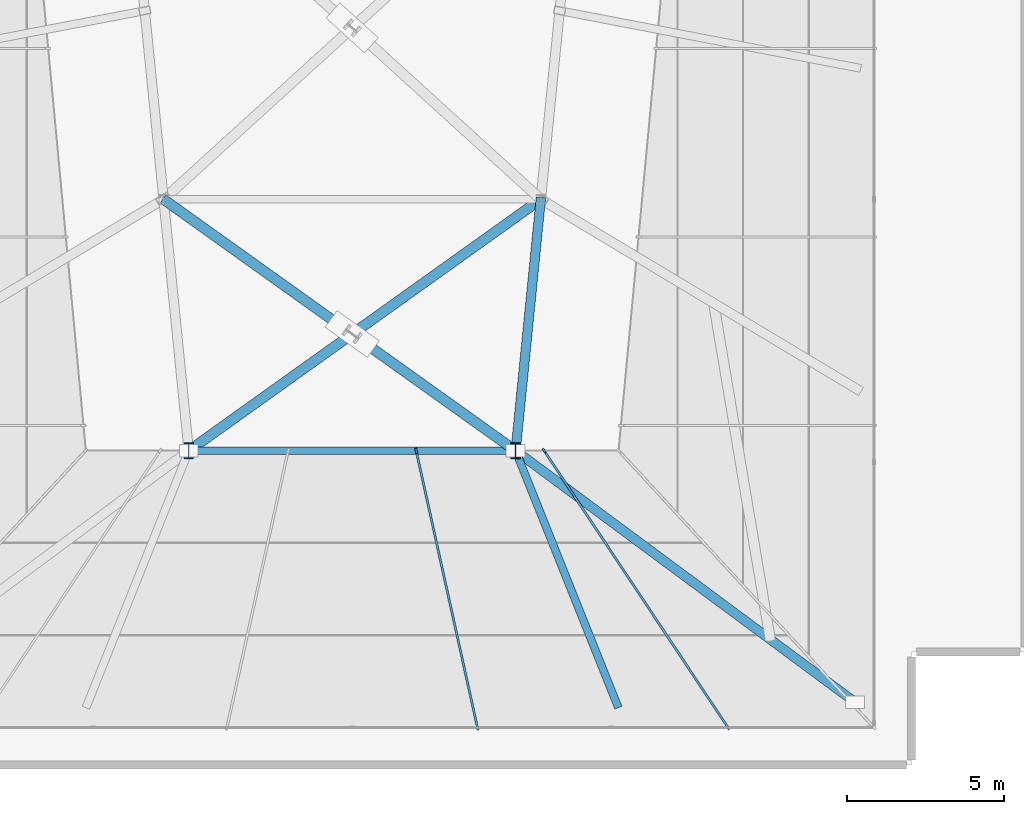
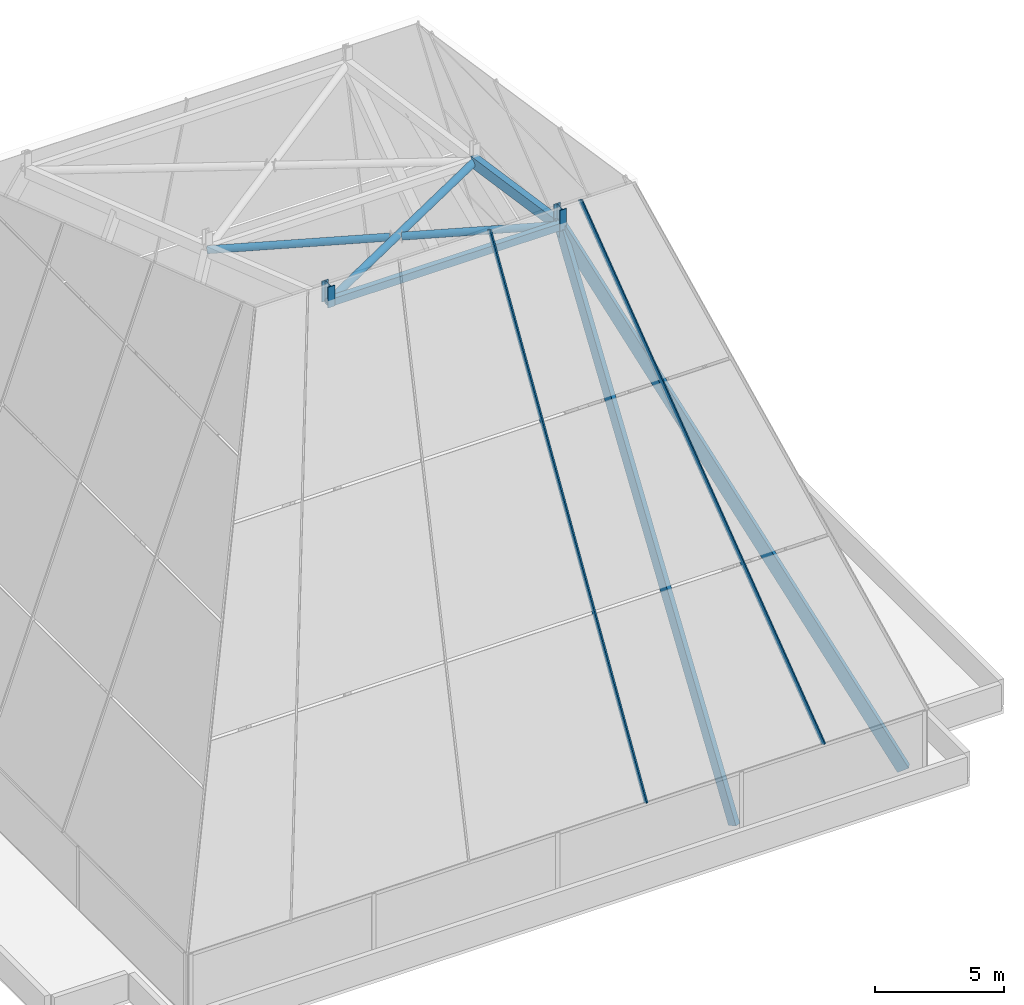
# One storey, part 8 of 32: 11 members, 1 element without a shape of its own.
"""IFC4 building model written with IfcOpenShell, lengths in metres."""

from ifc_helpers import new_model, si_unit, direction, frame, origin, origin_2d, place, context, subcontext, project, spatial, hollow_rectangle, hollow_circle, i_section, extrude, source, transform, mapped, material, layer, layer_set, material_profile, profile_set, type_object, element, aggregate, save


model = new_model("IFC4")

# Units and contexts
model_context = context("Model", 3, precision=1e-05, world=origin(), true_north=direction((0.0, 1.0)))
body_context = subcontext(model_context, "Body", "Model", "MODEL_VIEW")
ifc_project = project(units=[si_unit("LENGTHUNIT", "METRE"), si_unit("AREAUNIT", "SQUARE_METRE"), si_unit("VOLUMEUNIT", "CUBIC_METRE"), si_unit("PLANEANGLEUNIT", "RADIAN"), si_unit("MASSUNIT", "GRAM", prefix="KILO")], contexts=[model_context])

# Site, building, storey
site_placement = place(None, origin())
site = spatial("IfcSite", under=ifc_project, at=site_placement, CompositionType="ELEMENT")
building_placement = place(site_placement, origin())
building = spatial("IfcBuilding", under=site, at=building_placement, Name="Sumidabori Civic Tower", CompositionType="ELEMENT")
storey_placement = place(building_placement, frame((0.0, 0.0, 298.199951171875)))
storey = spatial("IfcBuildingStorey", under=building, at=storey_placement, Name="RF Roof Crown", CompositionType="ELEMENT", Elevation=298.199951171875)

# Members
ifc_material_1 = material(Name="Steel SN490", Category="steel")
ifc_material_profile_1 = material_profile(ifc_material_1, hollow_rectangle(XDim=0.300048828125, YDim=0.5, WallThickness=0.02001953125, at=origin_2d()), Name="RHS 500x300x20")
ifc_profile_set_1 = profile_set([ifc_material_profile_1], Name="Steel SN490")
member_type_1 = type_object("IfcMemberType", Name="MB-CRN-RAFTER", PredefinedType="RAFTER", material=ifc_profile_set_1)
shared_shape_1 = source(origin(), body_context, "Body", "SweptSolid", [
    extrude(hollow_rectangle(XDim=0.300048828125, YDim=0.5, WallThickness=0.02001953125, at=origin_2d()), origin(), (0.0, 0.0, 1.0), 28.119873046875),
])
member_1_placement = place(storey_placement, frame((16.0, -10.0, 0.0), z_axis=(-0.384071413459, 0.284496057061, 0.878379839751), x_axis=(-0.595225812977, -0.803558480489, 0.0)))
element("IfcMember", 1, at=member_1_placement, inside=storey, type_object=member_type_1, Name="Crown Structural Rafter RF-SE", PredefinedType="RAFTER", context=body_context, shape_type="MappedRepresentation", body=[
    mapped(shared_shape_1, transform((0.0, 0.0, 0.0), x_axis=(1.0, 0.0, 0.0), y_axis=(0.0, 1.0, 0.0), z_axis=(0.0, 0.0, 1.0), scale=1.0)),
])
ifc_material_profile_2 = material_profile(ifc_material_1, hollow_rectangle(XDim=0.25, YDim=0.39990234375, WallThickness=0.01611328125, at=origin_2d()), Name="RHS 400x250x16")
ifc_profile_set_2 = profile_set([ifc_material_profile_2], Name="Steel SN490")
member_type_2 = type_object("IfcMemberType", Name="MB-CRN-HIP", PredefinedType="RAFTER", material=ifc_profile_set_2)
shared_shape_2 = source(origin(), body_context, "Body", "SweptSolid", [
    extrude(hollow_rectangle(XDim=0.25, YDim=0.39990234375, WallThickness=0.01611328125, at=origin_2d()), origin(), (0.0, 0.0, 1.0), 26.15966796875),
])
member_2_placement = place(storey_placement, frame((8.39990234375, -10.0, 0.0), z_axis=(-0.122323930237, 0.305814491952, 0.944200377358), x_axis=(-0.928478645005, -0.371385791018, 0.0)))
element("IfcMember", 2, at=member_2_placement, inside=storey, type_object=member_type_2, Name="Crown Structural Rafter RF-SCE", PredefinedType="RAFTER", context=body_context, shape_type="MappedRepresentation", body=[
    mapped(shared_shape_2, transform((0.0, 0.0, 0.0), x_axis=(1.0, 0.0, 0.0), y_axis=(0.0, 1.0, 0.0), z_axis=(0.0, 0.0, 1.0), scale=1.0)),
])
shared_shape_3 = source(origin(), body_context, "Body", "SweptSolid", [
    extrude(hollow_rectangle(XDim=0.300048828125, YDim=0.5, WallThickness=0.02001953125, at=origin_2d()), origin(), (0.0, 0.0, 1.0), 8.3095703125),
])
member_3_placement = place(storey_placement, frame((5.199951171875, -2.0, 24.699951171875), z_axis=(0.096280057502, 0.962741813926, -0.252702097826), x_axis=(-0.995036588883, 0.09950973211, 0.0)))
element("IfcMember", 3, at=member_3_placement, inside=storey, type_object=member_type_1, Name="Crown Structural Rafter RF-RIDGE-E1", PredefinedType="RAFTER", context=body_context, shape_type="MappedRepresentation", body=[
    mapped(shared_shape_3, transform((0.0, 0.0, 0.0), x_axis=(1.0, 0.0, 0.0), y_axis=(0.0, 1.0, 0.0), z_axis=(0.0, 0.0, 1.0), scale=1.0)),
])
ifc_material_profile_3 = material_profile(ifc_material_1, hollow_rectangle(XDim=0.25, YDim=0.35009765625, WallThickness=0.01611328125, at=origin_2d()), Name="RHS 350x250x16")
ifc_profile_set_3 = profile_set([ifc_material_profile_3], Name="Steel SN490")
member_type_3 = type_object("IfcMemberType", Name="MB-CRN-PURLIN", PredefinedType="PURLIN", material=ifc_profile_set_3)
shared_shape_4 = source(origin(), body_context, "Body", "SweptSolid", [
    extrude(hollow_rectangle(XDim=0.25, YDim=0.35009765625, WallThickness=0.01611328125, at=origin_2d()), origin(), (0.0, 0.0, 1.0), 10.39990234375),
])
member_4_placement = place(storey_placement, frame((-5.199951171875, -2.0, 24.699951171875), z_axis=(1.0, 0.0, 0.0), x_axis=(0.0, 1.0, 0.0)))
element("IfcMember", 4, at=member_4_placement, inside=storey, type_object=member_type_3, Name="Crown Structural Rafter RF-TIE-S", PredefinedType="PURLIN", context=body_context, shape_type="MappedRepresentation", body=[
    mapped(shared_shape_4, transform((0.0, 0.0, 0.0), x_axis=(1.0, 0.0, 0.0), y_axis=(0.0, 1.0, 0.0), z_axis=(0.0, 0.0, 1.0), scale=1.0)),
])
ifc_material_profile_4 = material_profile(ifc_material_1, hollow_circle(Radius=0.161865234375, WallThickness=0.01611328125, at=origin_2d()), Name="CHS 323.9x16")
ifc_profile_set_4 = profile_set([ifc_material_profile_4], Name="Steel SN490")
member_type_4 = type_object("IfcMemberType", Name="MB-CRN-BRACE", PredefinedType="BRACE", material=ifc_profile_set_4)
shared_shape_5 = source(origin(), body_context, "Body", "SweptSolid", [
    extrude(hollow_circle(Radius=0.161865234375, WallThickness=0.01611328125, at=origin_2d()), origin(), (0.0, 0.0, 1.0), 13.9228515625),
])
member_5_placement = place(storey_placement, frame((-5.199951171875, -2.0, 24.699951171875), z_axis=(0.804424225376, 0.57459123743, -0.150819678746), x_axis=(-0.58123987164, 0.813732272689, 0.0)))
element("IfcMember", 5, at=member_5_placement, inside=storey, type_object=member_type_4, Name="Crown Structural Rafter RF-BRC-1", PredefinedType="BRACE", context=body_context, shape_type="MappedRepresentation", body=[
    mapped(shared_shape_5, transform((0.0, 0.0, 0.0), x_axis=(1.0, 0.0, 0.0), y_axis=(0.0, 1.0, 0.0), z_axis=(0.0, 0.0, 1.0), scale=1.0)),
])
shared_shape_6 = source(origin(), body_context, "Body", "SweptSolid", [
    extrude(hollow_circle(Radius=0.161865234375, WallThickness=0.01611328125, at=origin_2d()), origin(), (0.0, 0.0, 1.0), 6.232421875),
])
member_6_placement = place(storey_placement, frame((5.199951171875, -2.0, 24.699951171875), z_axis=(-0.804423085111, 0.574593514118, -0.150817086812), x_axis=(-0.581241942168, -0.81373079373, 0.0)))
element("IfcMember", 6, at=member_6_placement, inside=storey, type_object=member_type_4, Name="Crown Structural Rafter RF-BRC-2 Lower Segment", PredefinedType="BRACE", context=body_context, shape_type="MappedRepresentation", body=[
    mapped(shared_shape_6, transform((0.0, 0.0, 0.0), x_axis=(1.0, 0.0, 0.0), y_axis=(0.0, 1.0, 0.0), z_axis=(0.0, 0.0, 1.0), scale=1.0)),
])
shared_shape_7 = source(origin(), body_context, "Body", "SweptSolid", [
    extrude(hollow_circle(Radius=0.161865234375, WallThickness=0.01611328125, at=origin_2d()), origin(), (0.0, 0.0, 1.0), 7.226806640625),
])
member_7_placement = place(storey_placement, frame((-0.1865234375, 1.847412109375, 23.68994140625), z_axis=(-0.804420568351, 0.574600598315, -0.150803519953), x_axis=(-0.58124789141, -0.813726544197, 0.0)))
element("IfcMember", 7, at=member_7_placement, inside=storey, type_object=member_type_4, Name="Crown Structural Rafter RF-BRC-2 Upper Segment", PredefinedType="BRACE", context=body_context, shape_type="MappedRepresentation", body=[
    mapped(shared_shape_7, transform((0.0, 0.0, 0.0), x_axis=(1.0, 0.0, 0.0), y_axis=(0.0, 1.0, 0.0), z_axis=(0.0, 0.0, 1.0), scale=1.0)),
])
ifc_material_profile_5 = material_profile(ifc_material_1, i_section(OverallWidth=0.300048828125, OverallDepth=0.5, WebThickness=0.014404296875, FlangeThickness=0.028076171875, at=origin_2d()), Name="HE 500 B")
ifc_profile_set_5 = profile_set([ifc_material_profile_5], Name="Steel SN490")
member_type_5 = type_object("IfcMemberType", Name="MB-CRN-POST1", PredefinedType="POST", material=ifc_profile_set_5)
shared_shape_8 = source(origin(), body_context, "Body", "SweptSolid", [
    extrude(i_section(OverallWidth=0.300048828125, OverallDepth=0.5, WebThickness=0.014404296875, FlangeThickness=0.028076171875, at=origin_2d()), origin(), (0.0, 0.0, 1.0), 0.989990234375),
])
for number, where, z_axis, x_axis, name in (
    (8, (-5.199951171875, -2.0, 24.60009765625), (0.0, 0.0, 1.0), (1.0, 0.0, 0.0), "Crown Ridge Cap King-Post CP-SW"),
    (9, (5.199951171875, -2.0, 24.60009765625), (0.0, 0.0, 1.0), (1.0, 0.0, 0.0), "Crown Ridge Cap King-Post CP-SE"),
):
    element("IfcMember", number, at=place(storey_placement, frame(where, z_axis=z_axis, x_axis=x_axis)), inside=storey, type_object=member_type_5, Name=name, PredefinedType="POST", context=body_context, shape_type="MappedRepresentation", body=[
        mapped(shared_shape_8, transform((0.0, 0.0, 0.0), x_axis=(1.0, 0.0, 0.0), y_axis=(0.0, 1.0, 0.0), z_axis=(0.0, 0.0, 1.0), scale=1.0)),
    ])

# Curtain wall, members
ifc_material_2 = material(Name="Anodised Bronze Aluminium AW-6063-T6", Category="aluminium")
ifc_layer = layer(ifc_material_2, 0.179931640625, Name="Anodised Bronze Aluminium AW-6063-T6")
ifc_layer_set = layer_set([ifc_layer], Name="Anodised Bronze Aluminium AW-6063-T6")
curtain_wall_type = type_object("IfcCurtainWallType", Name="CW-SYS-6", PredefinedType="NOTDEFINED", material=ifc_layer_set)
curtain_wall_placement = place(storey_placement, origin())
curtain_wall = element("IfcCurtainWall", 10, at=curtain_wall_placement, inside=storey, type_object=curtain_wall_type, Name="Glass-Point Crown South Prow Curtain Wall", PredefinedType="NOTDEFINED")
ifc_material_profile_6 = material_profile(ifc_material_2, hollow_rectangle(XDim=0.070068359375, YDim=0.179931640625, WallThickness=0.006103515625, at=origin_2d()), Name="ALU MULLION 180x70")
ifc_profile_set_6 = profile_set([ifc_material_profile_6], Name="Anodised Bronze Aluminium AW-6063-T6")
member_type_6 = type_object("IfcMemberType", Name="CW-MUL-180", PredefinedType="MULLION", material=ifc_profile_set_6)
shared_shape_9 = source(origin(), body_context, "Body", "SweptSolid", [
    extrude(hollow_rectangle(XDim=0.070068359375, YDim=0.179931640625, WallThickness=0.006103515625, at=origin_2d()), origin(), (0.0, 0.0, 1.0), 24.892333984375),
])
member_8_placement = place(storey_placement, frame((11.951904296875, -10.800048828125, 3.050048828125), z_axis=(-0.234702520383, 0.353524962274, 0.905502527868), x_axis=(-0.833115519054, -0.553099025412, 0.0)))
member_8 = element("IfcMember", 11, at=member_8_placement, type_object=member_type_6, Name="Crown South Prow Sloped Mullion M4", PredefinedType="MULLION", context=body_context, shape_type="MappedRepresentation", body=[
    mapped(shared_shape_9, transform((0.0, 0.0, 0.0), x_axis=(1.0, 0.0, 0.0), y_axis=(0.0, 1.0, 0.0), z_axis=(0.0, 0.0, 1.0), scale=1.0)),
])
shared_shape_10 = source(origin(), body_context, "Body", "SweptSolid", [
    extrude(hollow_rectangle(XDim=0.070068359375, YDim=0.179931640625, WallThickness=0.006103515625, at=origin_2d()), origin(), (0.0, 0.0, 1.0), 24.275146484375),
])
member_9_placement = place(storey_placement, frame((3.98388671875, -10.800048828125, 3.050048828125), z_axis=(-0.080216205059, 0.362511673939, 0.928520676509), x_axis=(-0.976381698206, -0.216052723676, 0.0)))
member_9 = element("IfcMember", 12, at=member_9_placement, type_object=member_type_6, Name="Crown South Prow Sloped Mullion M3", PredefinedType="MULLION", context=body_context, shape_type="MappedRepresentation", body=[
    mapped(shared_shape_10, transform((0.0, 0.0, 0.0), x_axis=(1.0, 0.0, 0.0), y_axis=(0.0, 1.0, 0.0), z_axis=(0.0, 0.0, 1.0), scale=1.0)),
])
aggregate(curtain_wall, [member_9, member_8])

save(model, "model.ifc")
